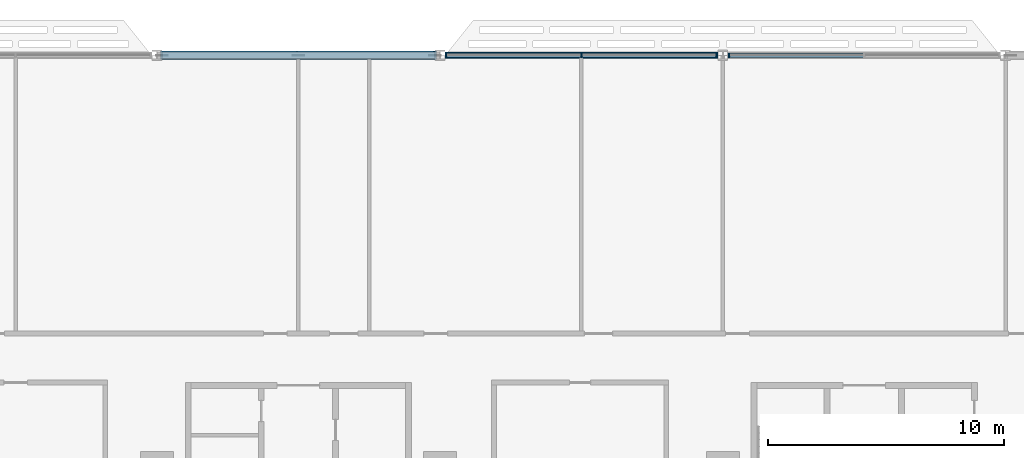
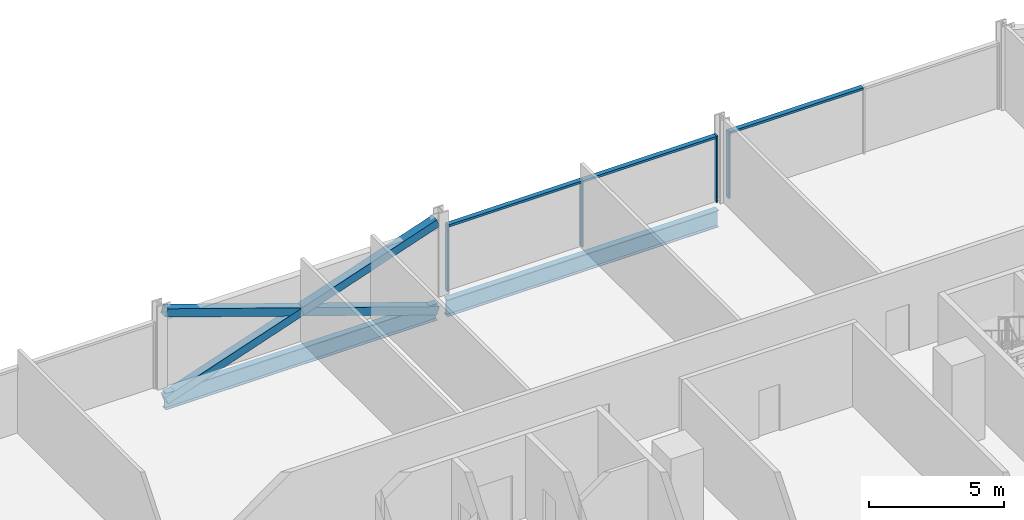
# One storey, part 7 of 29: 10 members, 2 beams, 2 elements without a shape of their own.
"""IFC4 building model written with IfcOpenShell, lengths in metres."""

from ifc_helpers import new_model, si_unit, direction, frame, origin, origin_2d, place, context, subcontext, project, spatial, rectangle, hollow_rectangle, i_section, extrude, material, material_profile, profile_set, type_object, element, aggregate, save


model = new_model("IFC4")

# Units and contexts
model_context = context("Model", 3, precision=1e-05, world=origin(), true_north=direction((0.0, 1.0)))
body_context = subcontext(model_context, "Body", "Model", "MODEL_VIEW")
ifc_project = project(units=[si_unit("LENGTHUNIT", "METRE"), si_unit("AREAUNIT", "SQUARE_METRE"), si_unit("VOLUMEUNIT", "CUBIC_METRE"), si_unit("PLANEANGLEUNIT", "RADIAN"), si_unit("MASSUNIT", "GRAM", prefix="KILO")], contexts=[model_context])

# Site, building, storey
site_placement = place(None, origin())
site = spatial("IfcSite", under=ifc_project, at=site_placement, CompositionType="ELEMENT")
building_placement = place(site_placement, origin())
building = spatial("IfcBuilding", under=site, at=building_placement, Name="Mahtab Terrace Research Tower", CompositionType="ELEMENT")
storey_placement = place(building_placement, frame((0.0, 0.0, 97.10009765625)))
storey = spatial("IfcBuildingStorey", under=building, at=storey_placement, Name="L22", CompositionType="ELEMENT", Elevation=97.10009765625)

# Members
ifc_material_1 = material(Name="Steel ASTM A500 Gr C", Category="steel")
ifc_material_profile_1 = material_profile(ifc_material_1, hollow_rectangle(XDim=0.355712890625, YDim=0.355712890625, WallThickness=0.01904296875, at=origin_2d()), Name="HSS14X14X3/4")
ifc_profile_set_1 = profile_set([ifc_material_profile_1], Name="Steel ASTM A500 Gr C")
member_type_1 = type_object("IfcMemberType", Name="HSS 14x14x3/4 brace XB141434", PredefinedType="BRACE", material=ifc_profile_set_1)
member_1_placement = place(storey_placement, frame((5.79052734375, 29.0, -0.64697265625), z_axis=(-0.946292853795, 0.0, 0.323310740397), x_axis=(0.0, -1.0, 0.0)))
element("IfcMember", 1, at=member_1_placement, inside=storey, type_object=member_type_1, Name="Exoskeleton brace L22 05 a", PredefinedType="BRACE", context=body_context, shape_type="SweptSolid", body=[
    extrude(hollow_rectangle(XDim=0.355712890625, YDim=0.355712890625, WallThickness=0.01904296875, at=origin_2d()), origin(), (0.0, 0.0, 1.0), 12.23828125),
])
for number, where, z_axis, x_axis, name in (
    (2, (-5.79052734375, 29.0, -0.64697265625), (0.946286750388, 0.0, 0.323328603809), (0.0, 1.0, 0.0), "Exoskeleton brace L22 05 b1"),
    (3, (0.0, 29.0, 1.33154296875), (0.946298956945, 0.0, 0.323292876639), (0.0, 1.0, 0.0), "Exoskeleton brace L22 05 b2"),
):
    element("IfcMember", number, at=place(storey_placement, frame(where, z_axis=z_axis, x_axis=x_axis)), inside=storey, type_object=member_type_1, Name=name, PredefinedType="BRACE", context=body_context, shape_type="SweptSolid", body=[
        extrude(hollow_rectangle(XDim=0.355712890625, YDim=0.355712890625, WallThickness=0.01904296875, at=origin_2d()), origin(), (0.0, 0.0, 1.0), 6.119140625),
    ])

# Curtain wall, member
ifc_material_2 = material(Name="Laboratory ribbon curtain wall")
curtain_wall_type = type_object("IfcCurtainWallType", Name="Laboratory ribbon curtain wall", PredefinedType="NOTDEFINED", material=ifc_material_2)
curtain_wall_1_placement = place(storey_placement, origin())
curtain_wall_1 = element("IfcCurtainWall", 4, at=curtain_wall_1_placement, inside=storey, type_object=curtain_wall_type, Name="EN.L22.3.5", PredefinedType="NOTDEFINED")
ifc_material_3 = material(Name="Natural anodised aluminium", Category="aluminium")
ifc_material_profile_2 = material_profile(ifc_material_3, rectangle(XDim=0.199951171875, YDim=0.06494140625, at=origin_2d()), Name="MULLION 65x200")
ifc_profile_set_2 = profile_set([ifc_material_profile_2], Name="Natural anodised aluminium")
member_type_2 = type_object("IfcMemberType", Name="Laboratory ribbon curtain wall mullion", PredefinedType="MULLION", material=ifc_profile_set_2)
member_2_placement = place(storey_placement, frame((18.260498046875, 29.0, 0.0), z_axis=(0.0, 0.0, 1.0), x_axis=(0.0, -1.0, 0.0)))
member_2 = element("IfcMember", 5, at=member_2_placement, type_object=member_type_2, Name="CWL-3 mullion 3", PredefinedType="MULLION", context=body_context, shape_type="SweptSolid", body=[
    extrude(rectangle(XDim=0.199951171875, YDim=0.06494140625, at=origin_2d()), origin(), (0.0, 0.0, 1.0), 3.0029296875),
])

# Curtain wall, members
curtain_wall_2_placement = place(storey_placement, origin())
curtain_wall_2 = element("IfcCurtainWall", 6, at=curtain_wall_2_placement, inside=storey, type_object=curtain_wall_type, Name="EN.L22.3.6", PredefinedType="NOTDEFINED")
member_3_placement = place(storey_placement, frame((17.739501953125, 29.0, 0.0), z_axis=(0.0, 0.0, 1.0), x_axis=(0.0, -1.0, 0.0)))
member_3 = element("IfcMember", 7, at=member_3_placement, type_object=member_type_2, Name="CWL-3 mullion 1", PredefinedType="MULLION", context=body_context, shape_type="SweptSolid", body=[
    extrude(rectangle(XDim=0.199951171875, YDim=0.06494140625, at=origin_2d()), origin(), (0.0, 0.0, 1.0), 3.0029296875),
])
member_4_placement = place(storey_placement, frame((12.0, 29.0, 0.0), z_axis=(0.0, 0.0, 1.0), x_axis=(0.0, -1.0, 0.0)))
member_4 = element("IfcMember", 8, at=member_4_placement, type_object=member_type_2, Name="CWL-3 mullion 2", PredefinedType="MULLION", context=body_context, shape_type="SweptSolid", body=[
    extrude(rectangle(XDim=0.199951171875, YDim=0.06494140625, at=origin_2d()), origin(), (0.0, 0.0, 1.0), 3.0029296875),
])
member_5_placement = place(storey_placement, frame((6.260498046875, 29.0, 0.0), z_axis=(0.0, 0.0, 1.0), x_axis=(0.0, -1.0, 0.0)))
member_5 = element("IfcMember", 9, at=member_5_placement, type_object=member_type_2, Name="CWL-3 mullion 3", PredefinedType="MULLION", context=body_context, shape_type="SweptSolid", body=[
    extrude(rectangle(XDim=0.199951171875, YDim=0.06494140625, at=origin_2d()), origin(), (0.0, 0.0, 1.0), 3.0029296875),
])

# Member
ifc_material_profile_3 = material_profile(ifc_material_3, rectangle(XDim=0.199951171875, YDim=0.10009765625, at=origin_2d()), Name="TRANSOM 100x200")
ifc_profile_set_3 = profile_set([ifc_material_profile_3], Name="Natural anodised aluminium")
member_type_3 = type_object("IfcMemberType", Name="Laboratory ribbon curtain wall transom", PredefinedType="USERDEFINED", material=ifc_profile_set_3)
member_6_placement = place(storey_placement, frame((23.967529296875, 29.0, 2.952880859375), z_axis=(-1.0, 0.0, 0.0), x_axis=(0.0, -1.0, 0.0)))
member_6 = element("IfcMember", 10, at=member_6_placement, type_object=member_type_3, Name="CWL-3 transom 2", ObjectType="TRANSOM", PredefinedType="USERDEFINED", context=body_context, shape_type="SweptSolid", body=[
    extrude(rectangle(XDim=0.199951171875, YDim=0.10009765625, at=origin_2d()), origin(), (0.0, 0.0, 1.0), 5.674560546875),
])

aggregate(curtain_wall_1, [member_2, member_6])

member_7_placement = place(storey_placement, frame((17.70703125, 29.0, 2.952880859375), z_axis=(-1.0, 0.0, 0.0), x_axis=(0.0, -1.0, 0.0)))
member_7 = element("IfcMember", 11, at=member_7_placement, type_object=member_type_3, Name="CWL-3 transom 1", ObjectType="TRANSOM", PredefinedType="USERDEFINED", context=body_context, shape_type="SweptSolid", body=[
    extrude(rectangle(XDim=0.199951171875, YDim=0.10009765625, at=origin_2d()), origin(), (0.0, 0.0, 1.0), 5.674560546875),
])

member_8_placement = place(storey_placement, frame((11.967529296875, 29.0, 2.952880859375), z_axis=(-1.0, 0.0, 0.0), x_axis=(0.0, -1.0, 0.0)))
member_8 = element("IfcMember", 12, at=member_8_placement, type_object=member_type_3, Name="CWL-3 transom 2", ObjectType="TRANSOM", PredefinedType="USERDEFINED", context=body_context, shape_type="SweptSolid", body=[
    extrude(rectangle(XDim=0.199951171875, YDim=0.10009765625, at=origin_2d()), origin(), (0.0, 0.0, 1.0), 5.674560546875),
])

aggregate(curtain_wall_2, [member_3, member_4, member_5, member_7, member_8])

# Beams
ifc_material_4 = material(Name="Steel ASTM A992 Gr 50", Category="steel")
ifc_material_profile_4 = material_profile(ifc_material_4, i_section(OverallWidth=0.2666015625, OverallDepth=0.7568359375, WebThickness=0.013916015625, FlangeThickness=0.019287109375, at=origin_2d()), Name="W30X108")
ifc_profile_set_4 = profile_set([ifc_material_profile_4], Name="Steel ASTM A992 Gr 50")
beam_type = type_object("IfcBeamType", Name="W30x108 beam BS30108", PredefinedType="BEAM", material=ifc_profile_set_4)
for number, where, z_axis, x_axis, name in (
    (13, (17.79052734375, 29.0, -0.718505859375), (-1.0, 0.0, 0.0), (0.0, -1.0, 0.0), "Spandrel beam L22 04"),
    (14, (5.79052734375, 29.0, -0.718505859375), (-1.0, 0.0, 0.0), (0.0, -1.0, 0.0), "Spandrel beam L22 05"),
):
    element("IfcBeam", number, at=place(storey_placement, frame(where, z_axis=z_axis, x_axis=x_axis)), inside=storey, type_object=beam_type, Name=name, PredefinedType="BEAM", context=body_context, shape_type="SweptSolid", body=[
        extrude(i_section(OverallWidth=0.2666015625, OverallDepth=0.7568359375, WebThickness=0.013916015625, FlangeThickness=0.019287109375, at=origin_2d()), origin(), (0.0, 0.0, 1.0), 11.5810546875),
    ])

save(model, "model.ifc")
